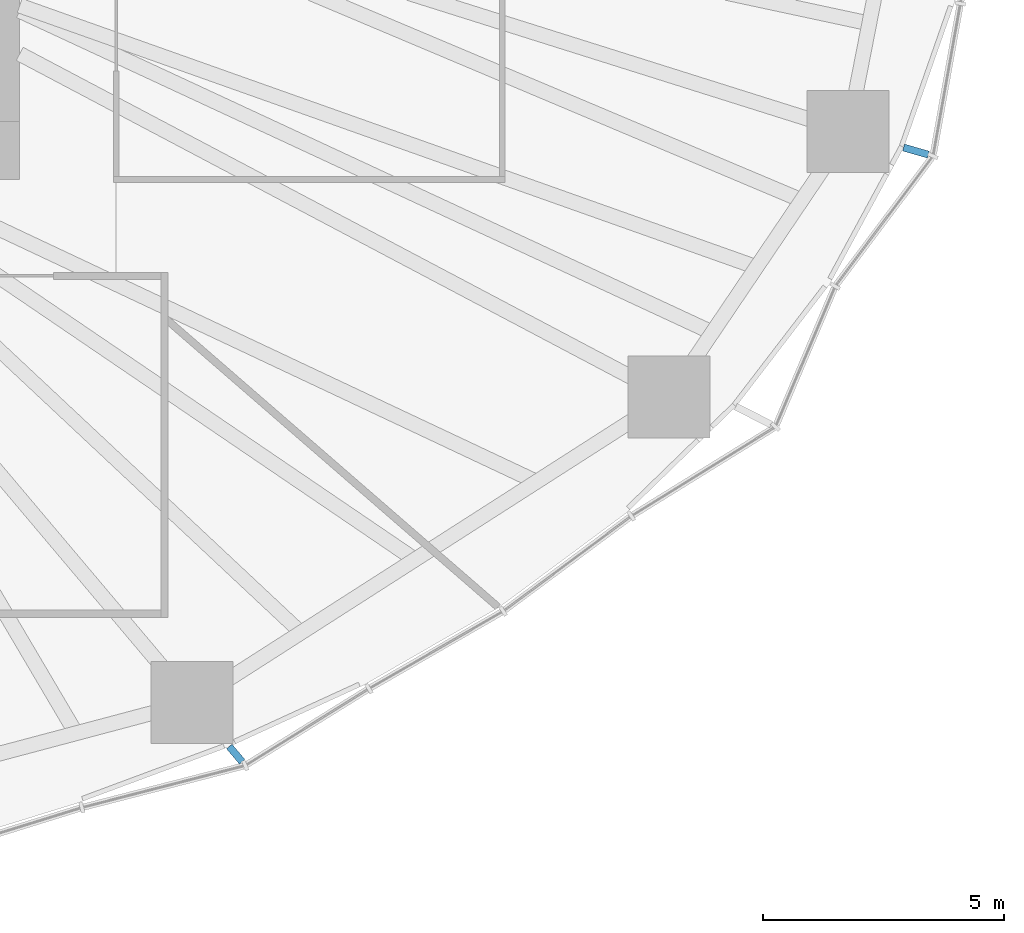
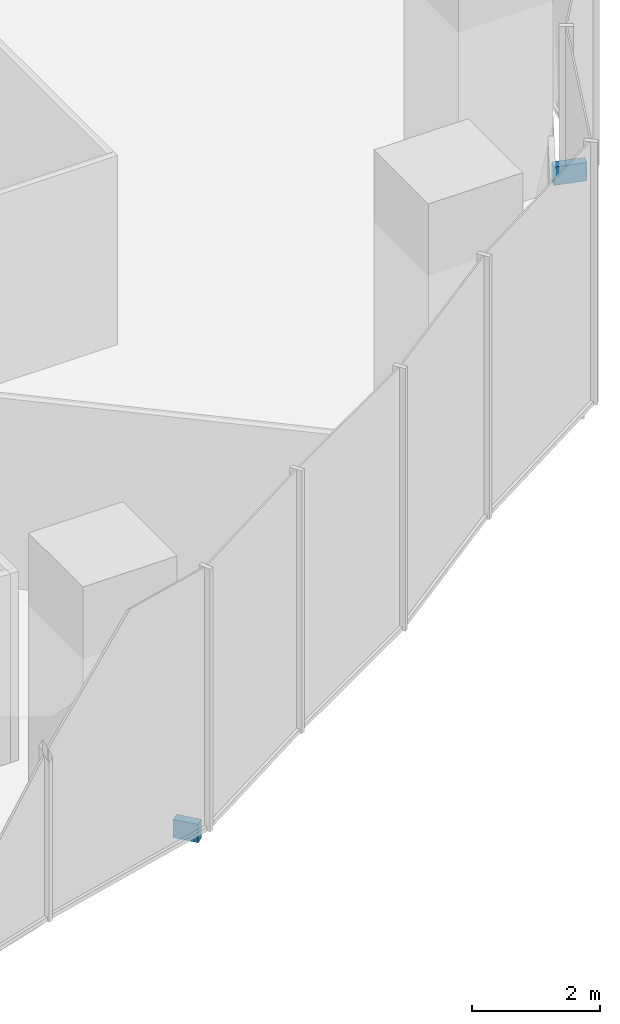
# One storey, part 14 of 20: 2 discrete accessories.
"""IFC4 building model written with IfcOpenShell, lengths in metres."""

from ifc_helpers import new_model, si_unit, direction, frame, origin, origin_2d, place, context, subcontext, project, spatial, rectangle, extrude, material, type_object, element, save


model = new_model("IFC4")

# Units and contexts
model_context = context("Model", 3, precision=1e-05, world=origin(), true_north=direction((0.0, 1.0)))
body_context = subcontext(model_context, "Body", "Model", "MODEL_VIEW")
ifc_project = project(units=[si_unit("LENGTHUNIT", "METRE"), si_unit("AREAUNIT", "SQUARE_METRE"), si_unit("VOLUMEUNIT", "CUBIC_METRE"), si_unit("PLANEANGLEUNIT", "RADIAN"), si_unit("MASSUNIT", "GRAM", prefix="KILO")], contexts=[model_context])

# Site, building, storey
site_placement = place(None, origin())
site = spatial("IfcSite", under=ifc_project, at=site_placement, CompositionType="ELEMENT")
building_placement = place(site_placement, origin())
building = spatial("IfcBuilding", under=site, at=building_placement, Name="Ghaith Harvest Tower", CompositionType="ELEMENT")
storey_placement = place(building_placement, frame((0.0, 0.0, 80.0)))
storey = spatial("IfcBuildingStorey", under=building, at=storey_placement, Name="L16", CompositionType="ELEMENT", Elevation=80.0)

# Discrete accessories
ifc_material_1 = material(Name="Stainless steel grade 1.4401", Category="steel")
discrete_accessory_type_1 = type_object("IfcDiscreteAccessoryType", Name="CURTAIN WALL BRACKET 415", PredefinedType="BRACKET", material=ifc_material_1)
discrete_accessory_1_placement = place(storey_placement, frame((18.475830078125, -21.90966796875, -0.25), z_axis=(0.0, 0.0, 1.0), x_axis=(0.644657240069, -0.764471741025, 0.0)))
element("IfcDiscreteAccessory", 1, at=discrete_accessory_1_placement, inside=storey, type_object=discrete_accessory_type_1, Name="CW-F bracket 1 bay 18 L16", PredefinedType="BRACKET", context=body_context, shape_type="SweptSolid", body=[
    extrude(rectangle(XDim=0.4150390625, YDim=0.14990234375, at=origin_2d()), origin(), (0.0, 0.0, 1.0), 0.35009765625),
])
ifc_material_2 = material(Name="Stainless steel grade 1.4401", Category="steel")
discrete_accessory_type_2 = type_object("IfcDiscreteAccessoryType", Name="CURTAIN WALL BRACKET 535", PredefinedType="BRACKET", material=ifc_material_2)
discrete_accessory_2_placement = place(storey_placement, frame((32.570556640625, -9.41357421875, -0.25), z_axis=(0.0, 0.0, 1.0), x_axis=(0.960680349932, -0.277656739976, 0.0)))
element("IfcDiscreteAccessory", 2, at=discrete_accessory_2_placement, inside=storey, type_object=discrete_accessory_type_2, Name="CW-F bracket 1 bay 20 L16", PredefinedType="BRACKET", context=body_context, shape_type="SweptSolid", body=[
    extrude(rectangle(XDim=0.534912109375, YDim=0.14990234375, at=origin_2d()), origin(), (0.0, 0.0, 1.0), 0.35009765625),
])

save(model, "model.ifc")
